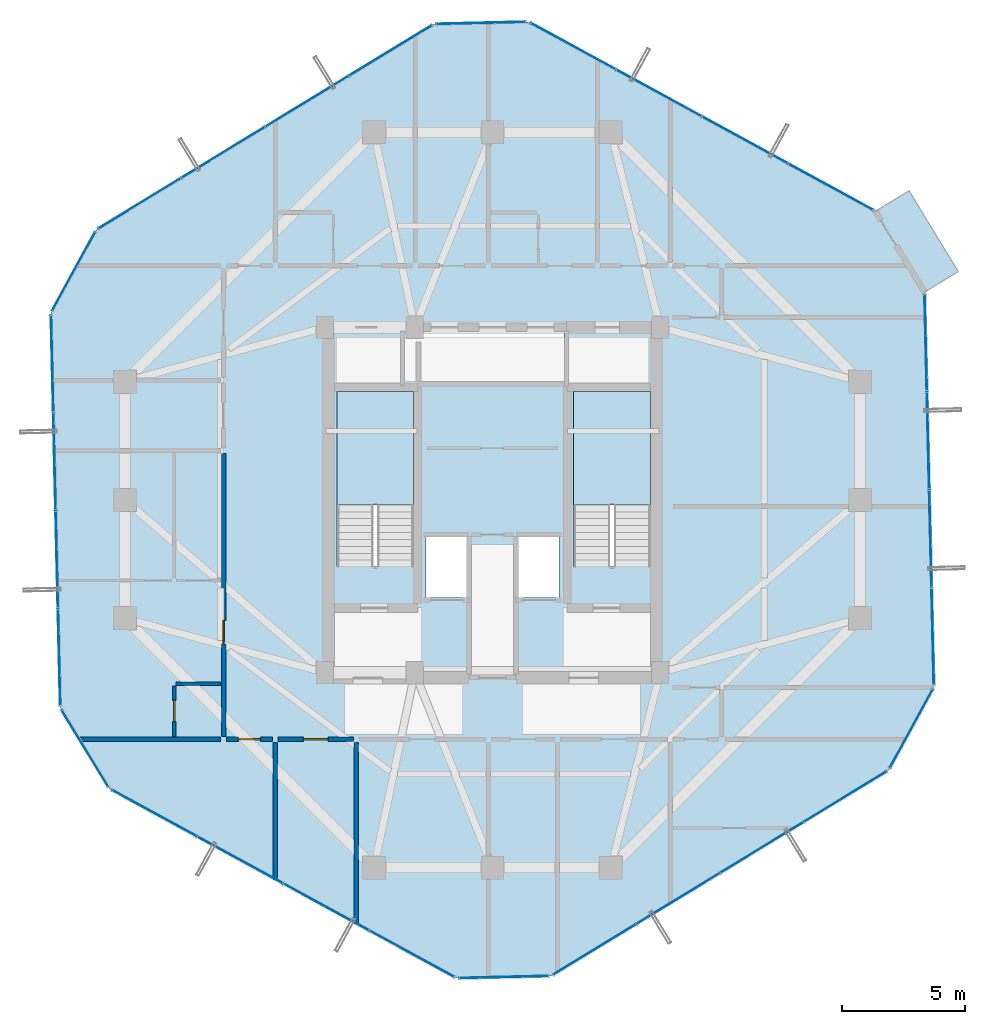
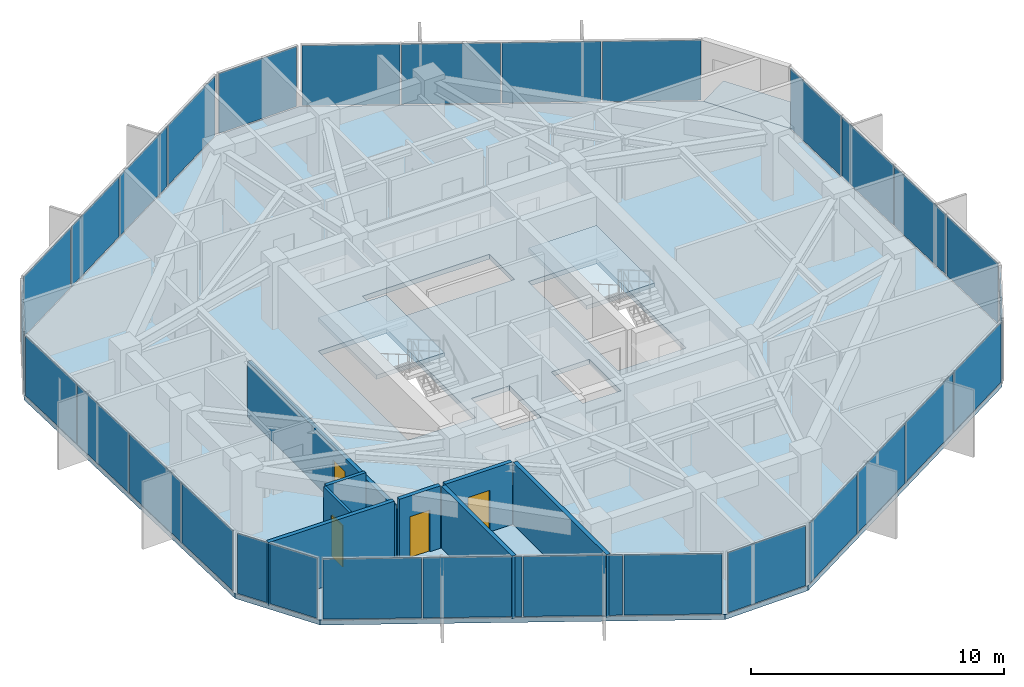
# One storey, part 27 of 32: 29 plates, 8 walls, 4 doors, 4 slabs, 4 openings, 13 elements without a shape of their own.
"""IFC4 building model written with IfcOpenShell, lengths in metres."""

from ifc_helpers import new_model, si_unit, direction, frame, frame_2d, origin, origin_2d, place, context, subcontext, project, spatial, polyline, rectangle, outline, extrude, source, transform, mapped, material, layer, layer_set, type_object, element, fill, aggregate, save


model = new_model("IFC4")

# Units and contexts
model_context = context("Model", 3, precision=1e-05, world=origin(), true_north=direction((0.0, 1.0)))
body_context = subcontext(model_context, "Body", "Model", "MODEL_VIEW")
ifc_project = project(units=[si_unit("LENGTHUNIT", "METRE"), si_unit("AREAUNIT", "SQUARE_METRE"), si_unit("VOLUMEUNIT", "CUBIC_METRE"), si_unit("PLANEANGLEUNIT", "RADIAN"), si_unit("MASSUNIT", "GRAM", prefix="KILO")], contexts=[model_context])

# Site, building, storey
site_placement = place(None, origin())
site = spatial("IfcSite", under=ifc_project, at=site_placement, CompositionType="ELEMENT")
building_placement = place(site_placement, origin())
building = spatial("IfcBuilding", under=site, at=building_placement, Name="Veraguas Prism Commons", CompositionType="ELEMENT")
storey_placement = place(building_placement, frame((0.0, 0.0, 201.60009765625)))
storey = spatial("IfcBuildingStorey", under=building, at=storey_placement, Name="L57", CompositionType="ELEMENT", Elevation=201.60009765625)

# Stair, slab
ifc_material_1 = material(Name="Precast concrete C45/55", Category="concrete")
stair_type = type_object("IfcStairType", Name="Dogleg Core Stair 1480W 20R 05", PredefinedType="HALF_TURN_STAIR", material=ifc_material_1)
stair_1_placement = place(storey_placement, origin())
stair_1 = element("IfcStair", 1, at=stair_1_placement, inside=storey, type_object=stair_type, Name="Protected Exit Stair ST-01 L57", PredefinedType="HALF_TURN_STAIR")
ifc_layer_1 = layer(ifc_material_1, 0.199951171875, Name="Precast Stair and Ramp Landing Slab 200", Category="concrete")
ifc_layer_set_1 = layer_set([ifc_layer_1], Name="Precast concrete C45/55")
slab_type_1 = type_object("IfcSlabType", Name="Precast Stair and Ramp Landing Slab 200", PredefinedType="LANDING", material=ifc_layer_set_1)
slab_1_placement = place(storey_placement, frame((0.0, 0.0, 1.4248046875)))
slab_1 = element("IfcSlab", 2, at=slab_1_placement, type_object=slab_type_1, Name="ST-05 Landing 1", PredefinedType="LANDING", context=body_context, shape_type="SweptSolid", body=[
    extrude(outline(polyline([(20.800048828125, 23.800048828125), (20.800048828125, 28.39990234375), (17.68994140625, 28.39990234375), (17.68994140625, 23.800048828125), (20.800048828125, 23.800048828125)])), origin(), (0.0, 0.0, 1.0), 0.2001953125),
])
aggregate(stair_1, [slab_1])

stair_2_placement = place(storey_placement, origin())
stair_2 = element("IfcStair", 3, at=stair_2_placement, inside=storey, type_object=stair_type, Name="Protected Exit Stair ST-02 L57", PredefinedType="HALF_TURN_STAIR")
slab_2_placement = place(storey_placement, frame((0.0, 0.0, 1.4248046875)))
slab_2 = element("IfcSlab", 4, at=slab_2_placement, type_object=slab_type_1, Name="ST-05 Landing 1", PredefinedType="LANDING", context=body_context, shape_type="SweptSolid", body=[
    extrude(outline(polyline([(30.39990234375, 23.800048828125), (30.39990234375, 28.39990234375), (27.2900390625, 28.39990234375), (27.2900390625, 23.800048828125), (30.39990234375, 23.800048828125)])), origin(), (0.0, 0.0, 1.0), 0.2001953125),
])
aggregate(stair_2, [slab_2])

# Slabs
ifc_material_2 = material(Name="Concrete C45/55", Category="concrete")
ifc_layer_2 = layer(ifc_material_2, 0.219970703125, Name="Recessed Loggia and Terrace Slab RC 220", Category="concrete")
ifc_layer_set_2 = layer_set([ifc_layer_2], Name="Concrete C45/55")
slab_type_2 = type_object("IfcSlabType", Name="Recessed Loggia and Terrace Slab RC 220", PredefinedType="FLOOR", material=ifc_layer_set_2)
slab_3_placement = place(storey_placement, frame((0.0, 0.0, -0.22021484375)))
element("IfcSlab", 5, at=slab_3_placement, inside=storey, type_object=slab_type_2, Name="Recessed Corner Loggia L57-C1", PredefinedType="FLOOR", context=body_context, shape_type="SweptSolid", body=[
    extrude(outline(polyline([(41.498046875, 32.4189453125), (42.88134765625, 33.261962890625), (40.885986328125, 36.5361328125), (39.50244140625, 35.693115234375), (41.498046875, 32.4189453125)])), origin(), (0.0, 0.0, 1.0), 0.22021484375),
])
ifc_layer_3 = layer(ifc_material_2, 0.235107421875, Name="Tower Upper Residential Floor Slab RC 235", Category="concrete")
ifc_layer_set_3 = layer_set([ifc_layer_3], Name="Concrete C45/55")
slab_type_3 = type_object("IfcSlabType", Name="Tower Upper Residential Floor Slab RC 235", PredefinedType="FLOOR", material=ifc_layer_set_3)
slab_4_placement = place(storey_placement, frame((0.0, 0.0, -0.235107421875)))
element("IfcSlab", 6, at=slab_4_placement, inside=storey, type_object=slab_type_3, Name="Tower Floor Slab L57", PredefinedType="FLOOR", context=body_context, shape_type="SweptSolid", body=[
    extrude(outline(polyline([(41.51513671875, 32.42919921875), (39.51953125, 35.70361328125), (25.45751953125, 43.38330078125), (21.624267578125, 43.292236328125), (7.9423828125, 34.953857421875), (6.1044921875, 31.588623046875), (6.48486328125, 15.57080078125), (8.48046875, 12.29638671875), (22.54248046875, 4.61669921875), (26.375732421875, 4.707763671875), (40.0576171875, 13.046142578125), (41.8955078125, 16.411376953125), (41.51513671875, 32.42919921875)]), holes=[polyline([(20.800048828125, 21.31005859375), (20.800048828125, 28.39990234375), (17.68994140625, 28.39990234375), (17.68994140625, 21.31005859375), (20.800048828125, 21.31005859375)]), polyline([(30.39990234375, 21.31005859375), (30.39990234375, 28.39990234375), (27.2900390625, 28.39990234375), (27.2900390625, 21.31005859375), (30.39990234375, 21.31005859375)]), polyline([(21.10009765625, 28.800048828125), (26.89990234375, 28.800048828125), (26.89990234375, 30.800048828125), (21.10009765625, 30.800048828125), (21.10009765625, 28.800048828125)]), polyline([(21.300048828125, 20.050048828125), (23.050048828125, 20.050048828125), (23.050048828125, 22.550048828125), (21.300048828125, 22.550048828125), (21.300048828125, 20.050048828125)]), polyline([(24.949951171875, 20.050048828125), (26.699951171875, 20.050048828125), (26.699951171875, 22.550048828125), (24.949951171875, 22.550048828125), (24.949951171875, 20.050048828125)])]), origin(), (0.0, 0.0, 1.0), 0.235107421875),
])

# Curtain wall, plates
ifc_material_3 = material(Name="Anodised aluminium EN AW-6063 T6", Category="aluminium")
ifc_layer_4 = layer(ifc_material_3, 0.14990234375, Name="Unitised Flush Curtain Wall Zone 3", Category="aluminium")
ifc_layer_set_4 = layer_set([ifc_layer_4], Name="Anodised aluminium EN AW-6063 T6")
curtain_wall_type = type_object("IfcCurtainWallType", Name="Unitised Flush Curtain Wall Zone 3", PredefinedType="NOTDEFINED", material=ifc_layer_set_4)
curtain_wall_1_placement = place(storey_placement, origin())
curtain_wall_1 = element("IfcCurtainWall", 7, at=curtain_wall_1_placement, inside=storey, type_object=curtain_wall_type, Name="Tower Facade Curtain Wall L57-F1", PredefinedType="NOTDEFINED")
ifc_material_4 = material(Name="Laminated low-e glass", Category="glass")
ifc_layer_5 = layer(ifc_material_4, 0.028076171875, Name="Unitised Double Low-E Glazed Panel 28", Category="glass")
ifc_layer_set_5 = layer_set([ifc_layer_5], Name="Laminated low-e glass")
plate_type = type_object("IfcPlateType", Name="Unitised Double Low-E Glazed Panel 28", PredefinedType="CURTAIN_PANEL", material=ifc_layer_set_5)
shared_shape_1 = source(origin(), body_context, "Body", "SweptSolid", [
    extrude(rectangle(XDim=3.885498046875, YDim=0.028076171875, at=origin_2d()), origin(), (0.0, 0.0, 1.0), 2.905029296875),
])
plate_1_placement = place(storey_placement, frame((37.709228515625, 36.692138671875, 0.0546875), z_axis=(0.0, 0.0, 1.0), x_axis=(-0.877646898441, 0.479307752553, 0.0)))
plate_1 = element("IfcPlate", 8, at=plate_1_placement, type_object=plate_type, Name="CW-Z3 Panel 1.1", PredefinedType="CURTAIN_PANEL", context=body_context, shape_type="MappedRepresentation", body=[
    mapped(shared_shape_1, transform((0.0, 0.0, 0.0), scale=1.0)),
])
plate_2_placement = place(storey_placement, frame((27.26806640625, 42.39453125, 0.0546875), z_axis=(0.0, 0.0, 1.0), x_axis=(-0.877646898441, 0.479307752553, 0.0)))
plate_2 = element("IfcPlate", 9, at=plate_2_placement, type_object=plate_type, Name="CW-Z3 Panel 4.1", PredefinedType="CURTAIN_PANEL", context=body_context, shape_type="MappedRepresentation", body=[
    mapped(shared_shape_1, transform((0.0, 0.0, 0.0), scale=1.0)),
])

curtain_wall_2_placement = place(storey_placement, origin())
curtain_wall_2 = element("IfcCurtainWall", 10, at=curtain_wall_2_placement, inside=storey, type_object=curtain_wall_type, Name="Tower Facade Curtain Wall L57-F3", PredefinedType="NOTDEFINED")
plate_3_placement = place(storey_placement, frame((6.153564453125, 29.5263671875, 0.0546875), z_axis=(0.0, 0.0, 1.0), x_axis=(0.023737738629, -0.999718220182, 0.0)))
plate_3 = element("IfcPlate", 11, at=plate_3_placement, type_object=plate_type, Name="CW-Z3 Panel 1.1", PredefinedType="CURTAIN_PANEL", context=body_context, shape_type="MappedRepresentation", body=[
    mapped(shared_shape_1, transform((0.0, 0.0, 0.0), scale=1.0)),
])
plate_4_placement = place(storey_placement, frame((6.43603515625, 17.6328125, 0.0546875), z_axis=(0.0, 0.0, 1.0), x_axis=(0.023737738629, -0.999718220182, 0.0)))
plate_4 = element("IfcPlate", 12, at=plate_4_placement, type_object=plate_type, Name="CW-Z3 Panel 4.1", PredefinedType="CURTAIN_PANEL", context=body_context, shape_type="MappedRepresentation", body=[
    mapped(shared_shape_1, transform((0.0, 0.0, 0.0), scale=1.0)),
])

curtain_wall_3_placement = place(storey_placement, origin())
curtain_wall_3 = element("IfcCurtainWall", 13, at=curtain_wall_3_placement, inside=storey, type_object=curtain_wall_type, Name="Tower Facade Curtain Wall L57-F4", PredefinedType="NOTDEFINED")
plate_5_placement = place(storey_placement, frame((10.290771484375, 11.307861328125, 0.0546875), z_axis=(0.0, 0.0, 1.0), x_axis=(0.877646898441, -0.479307752553, 0.0)))
plate_5 = element("IfcPlate", 14, at=plate_5_placement, type_object=plate_type, Name="CW-Z3 Panel 1.1", PredefinedType="CURTAIN_PANEL", context=body_context, shape_type="MappedRepresentation", body=[
    mapped(shared_shape_1, transform((0.0, 0.0, 0.0), scale=1.0)),
])
plate_6_placement = place(storey_placement, frame((20.73193359375, 5.60546875, 0.0546875), z_axis=(0.0, 0.0, 1.0), x_axis=(0.877646898441, -0.479307752553, 0.0)))
plate_6 = element("IfcPlate", 15, at=plate_6_placement, type_object=plate_type, Name="CW-Z3 Panel 4.1", PredefinedType="CURTAIN_PANEL", context=body_context, shape_type="MappedRepresentation", body=[
    mapped(shared_shape_1, transform((0.0, 0.0, 0.0), scale=1.0)),
])

curtain_wall_4_placement = place(storey_placement, origin())
curtain_wall_4 = element("IfcCurtainWall", 16, at=curtain_wall_4_placement, inside=storey, type_object=curtain_wall_type, Name="Tower Facade Curtain Wall L57-F6", PredefinedType="NOTDEFINED")
plate_7_placement = place(storey_placement, frame((41.846435546875, 18.4736328125, 0.0546875), z_axis=(0.0, 0.0, 1.0), x_axis=(-0.023737738629, 0.999718220182, 0.0)))
plate_7 = element("IfcPlate", 17, at=plate_7_placement, type_object=plate_type, Name="CW-Z3 Panel 1.1", PredefinedType="CURTAIN_PANEL", context=body_context, shape_type="MappedRepresentation", body=[
    mapped(shared_shape_1, transform((0.0, 0.0, 0.0), scale=1.0)),
])
plate_8_placement = place(storey_placement, frame((41.56396484375, 30.3671875, 0.0546875), z_axis=(0.0, 0.0, 1.0), x_axis=(-0.023737738629, 0.999718220182, 0.0)))
plate_8 = element("IfcPlate", 18, at=plate_8_placement, type_object=plate_type, Name="CW-Z3 Panel 4.1", PredefinedType="CURTAIN_PANEL", context=body_context, shape_type="MappedRepresentation", body=[
    mapped(shared_shape_1, transform((0.0, 0.0, 0.0), scale=1.0)),
])

# Plate
shared_shape_2 = source(origin(), body_context, "Body", "SweptSolid", [
    extrude(rectangle(XDim=3.91552734375, YDim=0.028076171875, at=origin_2d()), origin(), (0.0, 0.0, 1.0), 2.905029296875),
])
plate_9_placement = place(storey_placement, frame((34.233154296875, 38.590576171875, 0.0546875), z_axis=(0.0, 0.0, 1.0), x_axis=(-0.877646898441, 0.479307752553, 0.0)))
plate_9 = element("IfcPlate", 19, at=plate_9_placement, type_object=plate_type, Name="CW-Z3 Panel 2.1", PredefinedType="CURTAIN_PANEL", context=body_context, shape_type="MappedRepresentation", body=[
    mapped(shared_shape_2, transform((0.0, 0.0, 0.0), scale=1.0)),
])

plate_10_placement = place(storey_placement, frame((30.744140625, 40.49609375, 0.0546875), z_axis=(0.0, 0.0, 1.0), x_axis=(-0.877646898441, 0.479307752553, 0.0)))
plate_10 = element("IfcPlate", 20, at=plate_10_placement, type_object=plate_type, Name="CW-Z3 Panel 3.1", PredefinedType="CURTAIN_PANEL", context=body_context, shape_type="MappedRepresentation", body=[
    mapped(shared_shape_2, transform((0.0, 0.0, 0.0), scale=1.0)),
])

aggregate(curtain_wall_1, [plate_1, plate_9, plate_10, plate_2])

# Curtain wall, plates
curtain_wall_5_placement = place(storey_placement, origin())
curtain_wall_5 = element("IfcCurtainWall", 21, at=curtain_wall_5_placement, inside=storey, type_object=curtain_wall_type, Name="Tower Facade Curtain Wall L57-F2", PredefinedType="NOTDEFINED")
plate_11_placement = place(storey_placement, frame((16.480712890625, 40.157470703125, 0.0546875), z_axis=(0.0, 0.0, 1.0), x_axis=(-0.853914322581, -0.520413614052, 0.0)))
plate_11 = element("IfcPlate", 22, at=plate_11_placement, type_object=plate_type, Name="CW-Z3 Panel 2.1", PredefinedType="CURTAIN_PANEL", context=body_context, shape_type="MappedRepresentation", body=[
    mapped(shared_shape_2, transform((0.0, 0.0, 0.0), scale=1.0)),
])
plate_12_placement = place(storey_placement, frame((13.0859375, 38.088623046875, 0.0546875), z_axis=(0.0, 0.0, 1.0), x_axis=(-0.853914322581, -0.520413614052, 0.0)))
plate_12 = element("IfcPlate", 23, at=plate_12_placement, type_object=plate_type, Name="CW-Z3 Panel 3.1", PredefinedType="CURTAIN_PANEL", context=body_context, shape_type="MappedRepresentation", body=[
    mapped(shared_shape_2, transform((0.0, 0.0, 0.0), scale=1.0)),
])

# Plate
plate_13_placement = place(storey_placement, frame((6.24755859375, 25.56689453125, 0.0546875), z_axis=(0.0, 0.0, 1.0), x_axis=(0.023737738629, -0.999718220182, 0.0)))
plate_13 = element("IfcPlate", 24, at=plate_13_placement, type_object=plate_type, Name="CW-Z3 Panel 2.1", PredefinedType="CURTAIN_PANEL", context=body_context, shape_type="MappedRepresentation", body=[
    mapped(shared_shape_2, transform((0.0, 0.0, 0.0), scale=1.0)),
])

plate_14_placement = place(storey_placement, frame((6.342041015625, 21.592529296875, 0.0546875), z_axis=(0.0, 0.0, 1.0), x_axis=(0.023737738629, -0.999718220182, 0.0)))
plate_14 = element("IfcPlate", 25, at=plate_14_placement, type_object=plate_type, Name="CW-Z3 Panel 3.1", PredefinedType="CURTAIN_PANEL", context=body_context, shape_type="MappedRepresentation", body=[
    mapped(shared_shape_2, transform((0.0, 0.0, 0.0), scale=1.0)),
])

aggregate(curtain_wall_2, [plate_3, plate_13, plate_14, plate_4])

plate_15_placement = place(storey_placement, frame((13.766845703125, 9.409423828125, 0.0546875), z_axis=(0.0, 0.0, 1.0), x_axis=(0.877646898441, -0.479307752553, 0.0)))
plate_15 = element("IfcPlate", 26, at=plate_15_placement, type_object=plate_type, Name="CW-Z3 Panel 2.1", PredefinedType="CURTAIN_PANEL", context=body_context, shape_type="MappedRepresentation", body=[
    mapped(shared_shape_2, transform((0.0, 0.0, 0.0), scale=1.0)),
])

plate_16_placement = place(storey_placement, frame((17.255859375, 7.50390625, 0.0546875), z_axis=(0.0, 0.0, 1.0), x_axis=(0.877646898441, -0.479307752553, 0.0)))
plate_16 = element("IfcPlate", 27, at=plate_16_placement, type_object=plate_type, Name="CW-Z3 Panel 3.1", PredefinedType="CURTAIN_PANEL", context=body_context, shape_type="MappedRepresentation", body=[
    mapped(shared_shape_2, transform((0.0, 0.0, 0.0), scale=1.0)),
])

aggregate(curtain_wall_3, [plate_5, plate_15, plate_16, plate_6])

# Curtain wall, plates
curtain_wall_6_placement = place(storey_placement, origin())
curtain_wall_6 = element("IfcCurtainWall", 28, at=curtain_wall_6_placement, inside=storey, type_object=curtain_wall_type, Name="Tower Facade Curtain Wall L57-F5", PredefinedType="NOTDEFINED")
plate_17_placement = place(storey_placement, frame((31.519287109375, 7.842529296875, 0.0546875), z_axis=(0.0, 0.0, 1.0), x_axis=(0.853914322581, 0.520413614052, 0.0)))
plate_17 = element("IfcPlate", 29, at=plate_17_placement, type_object=plate_type, Name="CW-Z3 Panel 2.1", PredefinedType="CURTAIN_PANEL", context=body_context, shape_type="MappedRepresentation", body=[
    mapped(shared_shape_2, transform((0.0, 0.0, 0.0), scale=1.0)),
])
plate_18_placement = place(storey_placement, frame((34.9140625, 9.911376953125, 0.0546875), z_axis=(0.0, 0.0, 1.0), x_axis=(0.853914322581, 0.520413614052, 0.0)))
plate_18 = element("IfcPlate", 30, at=plate_18_placement, type_object=plate_type, Name="CW-Z3 Panel 3.1", PredefinedType="CURTAIN_PANEL", context=body_context, shape_type="MappedRepresentation", body=[
    mapped(shared_shape_2, transform((0.0, 0.0, 0.0), scale=1.0)),
])

# Plate
plate_19_placement = place(storey_placement, frame((41.75244140625, 22.43310546875, 0.0546875), z_axis=(0.0, 0.0, 1.0), x_axis=(-0.023737738629, 0.999718220182, 0.0)))
plate_19 = element("IfcPlate", 31, at=plate_19_placement, type_object=plate_type, Name="CW-Z3 Panel 2.1", PredefinedType="CURTAIN_PANEL", context=body_context, shape_type="MappedRepresentation", body=[
    mapped(shared_shape_2, transform((0.0, 0.0, 0.0), scale=1.0)),
])

plate_20_placement = place(storey_placement, frame((41.657958984375, 26.407470703125, 0.0546875), z_axis=(0.0, 0.0, 1.0), x_axis=(-0.023737738629, 0.999718220182, 0.0)))
plate_20 = element("IfcPlate", 32, at=plate_20_placement, type_object=plate_type, Name="CW-Z3 Panel 3.1", PredefinedType="CURTAIN_PANEL", context=body_context, shape_type="MappedRepresentation", body=[
    mapped(shared_shape_2, transform((0.0, 0.0, 0.0), scale=1.0)),
])

aggregate(curtain_wall_4, [plate_7, plate_19, plate_20, plate_8])

shared_shape_3 = source(origin(), body_context, "Body", "SweptSolid", [
    extrude(rectangle(XDim=3.8857421875, YDim=0.028076171875, at=origin_2d()), origin(), (0.0, 0.0, 1.0), 2.905029296875),
])
plate_21_placement = place(storey_placement, frame((19.86279296875, 42.21875, 0.0546875), z_axis=(0.0, 0.0, 1.0), x_axis=(-0.853914322581, -0.520413614052, 0.0)))
plate_21 = element("IfcPlate", 33, at=plate_21_placement, type_object=plate_type, Name="CW-Z3 Panel 1.1", PredefinedType="CURTAIN_PANEL", context=body_context, shape_type="MappedRepresentation", body=[
    mapped(shared_shape_3, transform((0.0, 0.0, 0.0), scale=1.0)),
])

plate_22_placement = place(storey_placement, frame((9.703857421875, 36.02734375, 0.0546875), z_axis=(0.0, 0.0, 1.0), x_axis=(-0.853914322581, -0.520413614052, 0.0)))
plate_22 = element("IfcPlate", 34, at=plate_22_placement, type_object=plate_type, Name="CW-Z3 Panel 4.1", PredefinedType="CURTAIN_PANEL", context=body_context, shape_type="MappedRepresentation", body=[
    mapped(shared_shape_3, transform((0.0, 0.0, 0.0), scale=1.0)),
])

aggregate(curtain_wall_5, [plate_21, plate_11, plate_12, plate_22])

plate_23_placement = place(storey_placement, frame((28.13720703125, 5.78125, 0.0546875), z_axis=(0.0, 0.0, 1.0), x_axis=(0.853914322581, 0.520413614052, 0.0)))
plate_23 = element("IfcPlate", 35, at=plate_23_placement, type_object=plate_type, Name="CW-Z3 Panel 1.1", PredefinedType="CURTAIN_PANEL", context=body_context, shape_type="MappedRepresentation", body=[
    mapped(shared_shape_3, transform((0.0, 0.0, 0.0), scale=1.0)),
])

plate_24_placement = place(storey_placement, frame((38.296142578125, 11.97265625, 0.0546875), z_axis=(0.0, 0.0, 1.0), x_axis=(0.853914322581, 0.520413614052, 0.0)))
plate_24 = element("IfcPlate", 36, at=plate_24_placement, type_object=plate_type, Name="CW-Z3 Panel 4.1", PredefinedType="CURTAIN_PANEL", context=body_context, shape_type="MappedRepresentation", body=[
    mapped(shared_shape_3, transform((0.0, 0.0, 0.0), scale=1.0)),
])

aggregate(curtain_wall_6, [plate_23, plate_17, plate_18, plate_24])

# Curtain wall, plate
curtain_wall_7_placement = place(storey_placement, origin())
curtain_wall_7 = element("IfcCurtainWall", 37, at=curtain_wall_7_placement, inside=storey, type_object=curtain_wall_type, Name="Chamfer Curtain Wall L57-C2", PredefinedType="NOTDEFINED")
shared_shape_4 = source(origin(), body_context, "Body", "SweptSolid", [
    extrude(rectangle(XDim=3.59423828125, YDim=0.028076171875, at=origin_2d()), origin(), (0.0, 0.0, 1.0), 2.905029296875),
])
plate_25_placement = place(storey_placement, frame((23.541015625, 43.337646484375, 0.0546875), z_axis=(0.0, 0.0, 1.0), x_axis=(-0.999718012994, -0.023746462815, 0.0)))
plate_25 = element("IfcPlate", 38, at=plate_25_placement, type_object=plate_type, Name="CW-Z3 Panel 1.1", PredefinedType="CURTAIN_PANEL", context=body_context, shape_type="MappedRepresentation", body=[
    mapped(shared_shape_4, transform((0.0, 0.0, 0.0), scale=1.0)),
])
aggregate(curtain_wall_7, [plate_25])

curtain_wall_8_placement = place(storey_placement, origin())
curtain_wall_8 = element("IfcCurtainWall", 39, at=curtain_wall_8_placement, inside=storey, type_object=curtain_wall_type, Name="Chamfer Curtain Wall L57-C3", PredefinedType="NOTDEFINED")
plate_26_placement = place(storey_placement, frame((7.0234375, 33.271240234375, 0.0546875), z_axis=(0.0, 0.0, 1.0), x_axis=(-0.479303157198, -0.877649408078, 0.0)))
plate_26 = element("IfcPlate", 40, at=plate_26_placement, type_object=plate_type, Name="CW-Z3 Panel 1.1", PredefinedType="CURTAIN_PANEL", context=body_context, shape_type="MappedRepresentation", body=[
    mapped(shared_shape_4, transform((0.0, 0.0, 0.0), scale=1.0)),
])
aggregate(curtain_wall_8, [plate_26])

curtain_wall_9_placement = place(storey_placement, origin())
curtain_wall_9 = element("IfcCurtainWall", 41, at=curtain_wall_9_placement, inside=storey, type_object=curtain_wall_type, Name="Chamfer Curtain Wall L57-C5", PredefinedType="NOTDEFINED")
plate_27_placement = place(storey_placement, frame((24.458984375, 4.662353515625, 0.0546875), z_axis=(0.0, 0.0, 1.0), x_axis=(0.999718012994, 0.023746462815, 0.0)))
plate_27 = element("IfcPlate", 42, at=plate_27_placement, type_object=plate_type, Name="CW-Z3 Panel 1.1", PredefinedType="CURTAIN_PANEL", context=body_context, shape_type="MappedRepresentation", body=[
    mapped(shared_shape_4, transform((0.0, 0.0, 0.0), scale=1.0)),
])
aggregate(curtain_wall_9, [plate_27])

curtain_wall_10_placement = place(storey_placement, origin())
curtain_wall_10 = element("IfcCurtainWall", 43, at=curtain_wall_10_placement, inside=storey, type_object=curtain_wall_type, Name="Chamfer Curtain Wall L57-C6", PredefinedType="NOTDEFINED")
plate_28_placement = place(storey_placement, frame((40.9765625, 14.728759765625, 0.0546875), z_axis=(0.0, 0.0, 1.0), x_axis=(0.479303157198, 0.877649408078, 0.0)))
plate_28 = element("IfcPlate", 44, at=plate_28_placement, type_object=plate_type, Name="CW-Z3 Panel 1.1", PredefinedType="CURTAIN_PANEL", context=body_context, shape_type="MappedRepresentation", body=[
    mapped(shared_shape_4, transform((0.0, 0.0, 0.0), scale=1.0)),
])
aggregate(curtain_wall_10, [plate_28])

curtain_wall_11_placement = place(storey_placement, origin())
curtain_wall_11 = element("IfcCurtainWall", 45, at=curtain_wall_11_placement, inside=storey, type_object=curtain_wall_type, Name="Chamfer Curtain Wall L57-C4", PredefinedType="NOTDEFINED")
shared_shape_5 = source(origin(), body_context, "Body", "SweptSolid", [
    extrude(rectangle(XDim=3.594482421875, YDim=0.028076171875, at=origin_2d()), origin(), (0.0, 0.0, 1.0), 2.905029296875),
])
plate_29_placement = place(storey_placement, frame((7.482666015625, 13.93359375, 0.0546875), z_axis=(0.0, 0.0, 1.0), x_axis=(0.520425536895, -0.853907056153, 0.0)))
plate_29 = element("IfcPlate", 46, at=plate_29_placement, type_object=plate_type, Name="CW-Z3 Panel 1.1", PredefinedType="CURTAIN_PANEL", context=body_context, shape_type="MappedRepresentation", body=[
    mapped(shared_shape_5, transform((0.0, 0.0, 0.0), scale=1.0)),
])
aggregate(curtain_wall_11, [plate_29])

# Wall
ifc_material_5 = material(Name="Autoclaved aerated masonry block 10 MPa", Category="masonry")
ifc_layer_6 = layer(ifc_material_5, 0.179931640625, Name="Corridor and Inter-Tenancy Partition 180", Category="masonry")
ifc_layer_set_6 = layer_set([ifc_layer_6], Name="Autoclaved aerated masonry block 10 MPa")
wall_type_1 = type_object("IfcWallType", Name="Corridor and Inter-Tenancy Partition 180", PredefinedType="PARTITIONING", material=ifc_layer_set_6)
wall_1_placement = place(storey_placement, frame((15.199951171875, 14.179931640625, 0.0), z_axis=(0.0, 0.0, 1.0), x_axis=(0.0, -1.0, 0.0)))
element("IfcWall", 47, at=wall_1_placement, inside=storey, type_object=wall_type_1, Name="WL-L57-PT001", PredefinedType="PARTITIONING", context=body_context, shape_type="SweptSolid", body=[
    extrude(rectangle(XDim=5.58740234375, YDim=0.179931640625, at=frame_2d((2.793701171875, 0.0))), origin(), (0.0, 0.0, 1.0), 3.014892578125),
])

# Wall, opening, door
wall_2_placement = place(storey_placement, frame((15.31005859375, 14.300048828125, 0.0), z_axis=(0.0, 0.0, 1.0), x_axis=(1.0, 0.0, 0.0)))
wall_2 = element("IfcWall", 48, at=wall_2_placement, inside=storey, type_object=wall_type_1, Name="WL-L57-PT003", PredefinedType="PARTITIONING", context=body_context, shape_type="SweptSolid", body=[
    extrude(rectangle(XDim=3.055908203125, YDim=0.179931640625, at=frame_2d((1.52783203125, 0.0))), origin(), (0.0, 0.0, 1.0), 3.014892578125),
])
opening_1_placement = place(wall_2_placement, frame((1.028076171875, 0.0, 0.0)))
opening_1 = element("IfcOpeningElement", 49, at=opening_1_placement, cuts=wall_2, Name="Opening DR-13", PredefinedType="OPENING", context=body_context, shape_type="SweptSolid", body=[
    extrude(rectangle(XDim=1.0, YDim=2.010009765625, at=frame_2d((0.5, 1.0048828125))), frame((0.0, 0.099853515625, 0.0), z_axis=(0.0, -1.0, 0.0), x_axis=(1.0, 0.0, 0.0)), (0.0, 0.0, 1.0), 0.199951171875),
])
ifc_material_6 = material(Name="Steel fire-rated door assembly", Category="steel")
door_type_1 = type_object("IfcDoorType", Name="Core Accessible WC and Clinic Fire Door 1000x2010", OperationType="NOTDEFINED", PredefinedType="DOOR", material=ifc_material_6)
shared_shape_6 = source(origin(), body_context, "Body", "SweptSolid", [
    extrude(rectangle(XDim=1.0, YDim=2.010009765625, at=frame_2d((0.5, 1.0048828125))), frame((0.0, 0.02490234375, 0.0), z_axis=(0.0, -1.0, 0.0), x_axis=(1.0, 0.0, 0.0)), (0.0, 0.0, 1.0), 0.050048828125),
])
door_1_placement = place(opening_1_placement, origin())
door_1 = element("IfcDoor", 50, at=door_1_placement, inside=storey, type_object=door_type_1, Name="Community Co-op Kitchen Door", OperationType="SINGLE_SWING_RIGHT", OverallHeight=2.010009765625, OverallWidth=1.0, PredefinedType="DOOR", context=body_context, shape_type="MappedRepresentation", body=[
    mapped(shared_shape_6, transform((0.0, 0.0, 0.0), scale=1.0)),
])
fill(opening_1, door_1)

# Walls
wall_3_placement = place(storey_placement, frame((18.47607421875, 14.179931640625, 0.0), z_axis=(0.0, 0.0, 1.0), x_axis=(0.0, -1.0, 0.0)))
element("IfcWall", 51, at=wall_3_placement, inside=storey, type_object=wall_type_1, Name="WL-L57-PT005", PredefinedType="PARTITIONING", context=body_context, shape_type="SweptSolid", body=[
    extrude(rectangle(XDim=7.37646484375, YDim=0.179931640625, at=frame_2d((3.688232421875, 0.0))), origin(), (0.0, 0.0, 1.0), 3.014892578125),
])
wall_4_placement = place(storey_placement, frame((12.97998046875, 14.300048828125, 0.0), z_axis=(0.0, 0.0, 1.0), x_axis=(-1.0, 0.0, 0.0)))
element("IfcWall", 52, at=wall_4_placement, inside=storey, type_object=wall_type_1, Name="WL-L57-PT023", PredefinedType="PARTITIONING", context=body_context, shape_type="SweptSolid", body=[
    extrude(rectangle(XDim=5.755859375, YDim=0.179931640625, at=frame_2d((2.8779296875, 0.0))), origin(), (0.0, 0.0, 1.0), 3.014892578125),
])

# Wall, opening, door
wall_5_placement = place(storey_placement, frame((13.10009765625, 14.409912109375, 0.0), z_axis=(0.0, 0.0, 1.0), x_axis=(0.0, 1.0, 0.0)))
wall_5 = element("IfcWall", 53, at=wall_5_placement, inside=storey, type_object=wall_type_1, Name="WL-L57-PT025", PredefinedType="PARTITIONING", context=body_context, shape_type="SweptSolid", body=[
    extrude(rectangle(XDim=11.484130859375, YDim=0.179931640625, at=frame_2d((5.7421875, 0.0))), origin(), (0.0, 0.0, 1.0), 2.661865234375),
])
opening_2_placement = place(wall_5_placement, frame((3.758544921875, 0.0, 0.0)))
opening_2 = element("IfcOpeningElement", 54, at=opening_2_placement, cuts=wall_5, Name="Opening DR-01", PredefinedType="OPENING", context=body_context, shape_type="SweptSolid", body=[
    extrude(rectangle(XDim=0.949951171875, YDim=2.02001953125, at=frame_2d((0.47509765625, 1.010009765625))), frame((0.0, 0.099853515625, 0.0), z_axis=(0.0, -1.0, 0.0), x_axis=(1.0, 0.0, 0.0)), (0.0, 0.0, 1.0), 0.199951171875),
])
door_type_2 = type_object("IfcDoorType", Name="Apartment Entrance Fire Door 950x2020", OperationType="NOTDEFINED", PredefinedType="DOOR", material=ifc_material_3)
shared_shape_7 = source(origin(), body_context, "Body", "SweptSolid", [
    extrude(rectangle(XDim=0.949951171875, YDim=2.02001953125, at=frame_2d((0.47509765625, 1.010009765625))), frame((0.0, 0.02490234375, 0.0), z_axis=(0.0, -1.0, 0.0), x_axis=(1.0, 0.0, 0.0)), (0.0, 0.0, 1.0), 0.050048828125),
])
door_2_placement = place(opening_2_placement, origin())
door_2 = element("IfcDoor", 55, at=door_2_placement, inside=storey, type_object=door_type_2, Name="Flat 57C Entrance Door", OperationType="SINGLE_SWING_RIGHT", OverallHeight=2.02001953125, OverallWidth=0.949951171875, PredefinedType="DOOR", context=body_context, shape_type="MappedRepresentation", body=[
    mapped(shared_shape_7, transform((0.0, 0.0, 0.0), scale=1.0)),
])
fill(opening_2, door_2)

wall_6_placement = place(storey_placement, frame((13.219970703125, 14.300048828125, 0.0), z_axis=(0.0, 0.0, 1.0), x_axis=(1.0, 0.0, 0.0)))
wall_6 = element("IfcWall", 56, at=wall_6_placement, inside=storey, type_object=wall_type_1, Name="WL-L57-PT042", PredefinedType="PARTITIONING", context=body_context, shape_type="SweptSolid", body=[
    extrude(rectangle(XDim=1.860107421875, YDim=0.179931640625, at=frame_2d((0.93017578125, 0.0))), origin(), (0.0, 0.0, 1.0), 3.014892578125),
])
opening_3_placement = place(wall_6_placement, frame((0.47998046875, 0.0, 0.0)))
opening_3 = element("IfcOpeningElement", 57, at=opening_3_placement, cuts=wall_6, Name="Opening DR-14", PredefinedType="OPENING", context=body_context, shape_type="SweptSolid", body=[
    extrude(rectangle(XDim=0.89990234375, YDim=2.010009765625, at=frame_2d((0.449951171875, 1.0048828125))), frame((0.0, 0.099853515625, 0.0), z_axis=(0.0, -1.0, 0.0), x_axis=(1.0, 0.0, 0.0)), (0.0, 0.0, 1.0), 0.199951171875),
])
door_type_3 = type_object("IfcDoorType", Name="Core Service Room Fire Door 900x2010", OperationType="NOTDEFINED", PredefinedType="DOOR", material=ifc_material_6)
shared_shape_8 = source(origin(), body_context, "Body", "SweptSolid", [
    extrude(rectangle(XDim=0.89990234375, YDim=2.010009765625, at=frame_2d((0.449951171875, 1.0048828125))), frame((0.0, 0.02490234375, 0.0), z_axis=(0.0, -1.0, 0.0), x_axis=(1.0, 0.0, 0.0)), (0.0, 0.0, 1.0), 0.050048828125),
])
door_3_placement = place(opening_3_placement, origin())
door_3 = element("IfcDoor", 58, at=door_3_placement, inside=storey, type_object=door_type_3, Name="Corner Study SW Door", OperationType="SINGLE_SWING_RIGHT", OverallHeight=2.010009765625, OverallWidth=0.89990234375, PredefinedType="DOOR", context=body_context, shape_type="MappedRepresentation", body=[
    mapped(shared_shape_8, transform((0.0, 0.0, 0.0), scale=1.0)),
])
fill(opening_3, door_3)

ifc_material_7 = material(Name="Lightweight acoustic gypsum board")
ifc_layer_7 = layer(ifc_material_7, 0.125, Name="Internal Apartment Room Partition 125")
ifc_layer_set_7 = layer_set([ifc_layer_7], Name="Lightweight acoustic gypsum board")
wall_type_2 = type_object("IfcWallType", Name="Internal Apartment Room Partition 125", PredefinedType="PARTITIONING", material=ifc_layer_set_7)
wall_7_placement = place(storey_placement, frame((11.10009765625, 14.419921875, 0.0), z_axis=(0.0, 0.0, 1.0), x_axis=(0.0, 1.0, 0.0)))
wall_7 = element("IfcWall", 59, at=wall_7_placement, inside=storey, type_object=wall_type_2, Name="WL-L57-PT027", PredefinedType="PARTITIONING", context=body_context, shape_type="SweptSolid", body=[
    extrude(rectangle(XDim=2.050048828125, YDim=0.125, at=frame_2d((1.02490234375, 0.0))), origin(), (0.0, 0.0, 1.0), 3.014892578125),
])
opening_4_placement = place(wall_7_placement, frame((0.594970703125, 0.0, 0.0)))
opening_4 = element("IfcOpeningElement", 60, at=opening_4_placement, cuts=wall_7, Name="Opening DR-03", PredefinedType="OPENING", context=body_context, shape_type="SweptSolid", body=[
    extrude(rectangle(XDim=0.860107421875, YDim=2.010009765625, at=frame_2d((0.43017578125, 1.0048828125))), frame((0.0, 0.072509765625, 0.0), z_axis=(0.0, -1.0, 0.0), x_axis=(1.0, 0.0, 0.0)), (0.0, 0.0, 1.0), 0.14501953125),
])
ifc_material_8 = material(Name="Timber moisture-resistant leaf", Category="wood")
door_type_4 = type_object("IfcDoorType", Name="Internal Bathroom Door 860x2010", OperationType="NOTDEFINED", PredefinedType="DOOR", material=ifc_material_8)
shared_shape_9 = source(origin(), body_context, "Body", "SweptSolid", [
    extrude(rectangle(XDim=0.860107421875, YDim=2.010009765625, at=frame_2d((0.43017578125, 1.0048828125))), frame((0.0, 0.02490234375, 0.0), z_axis=(0.0, -1.0, 0.0), x_axis=(1.0, 0.0, 0.0)), (0.0, 0.0, 1.0), 0.050048828125),
])
door_4_placement = place(opening_4_placement, origin())
door_4 = element("IfcDoor", 61, at=door_4_placement, inside=storey, type_object=door_type_4, Name="Flat 57C Bathroom Door", OperationType="SINGLE_SWING_LEFT", OverallHeight=2.010009765625, OverallWidth=0.860107421875, PredefinedType="DOOR", context=body_context, shape_type="MappedRepresentation", body=[
    mapped(shared_shape_9, transform((0.0, 0.0, 0.0), scale=1.0)),
])
fill(opening_4, door_4)

# Wall
ifc_layer_8 = layer(ifc_material_7, 0.14990234375, Name="Wet Room and Clinic Acoustic Partition 150")
ifc_layer_set_8 = layer_set([ifc_layer_8], Name="Lightweight acoustic gypsum board")
wall_type_3 = type_object("IfcWallType", Name="Wet Room and Clinic Acoustic Partition 150", PredefinedType="PARTITIONING", material=ifc_layer_set_8)
wall_8_placement = place(storey_placement, frame((12.97998046875, 16.550048828125, 0.0), z_axis=(0.0, 0.0, 1.0), x_axis=(-1.0, 0.0, 0.0)))
element("IfcWall", 62, at=wall_8_placement, inside=storey, type_object=wall_type_3, Name="WL-L57-PT026", PredefinedType="PARTITIONING", context=body_context, shape_type="SweptSolid", body=[
    extrude(rectangle(XDim=1.800048828125, YDim=0.14990234375, at=frame_2d((0.89990234375, 0.0))), origin(), (0.0, 0.0, 1.0), 3.014892578125),
])

save(model, "model.ifc")
